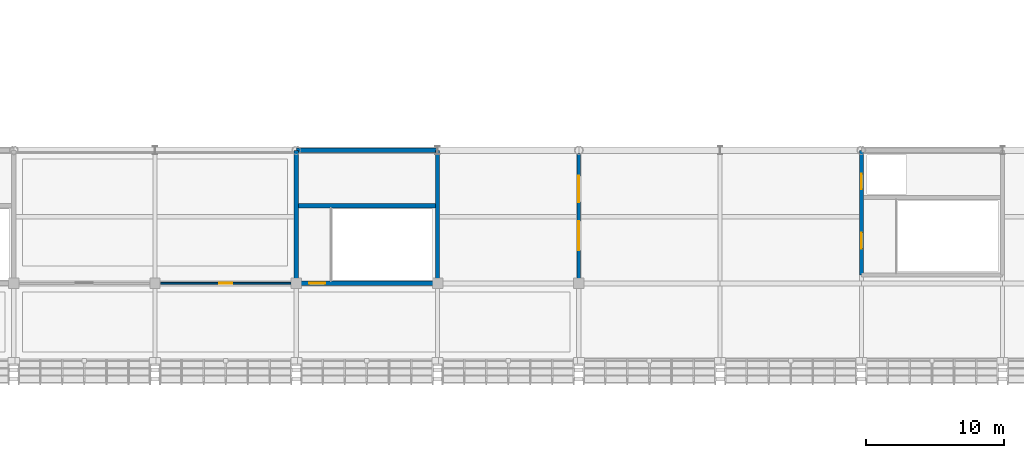
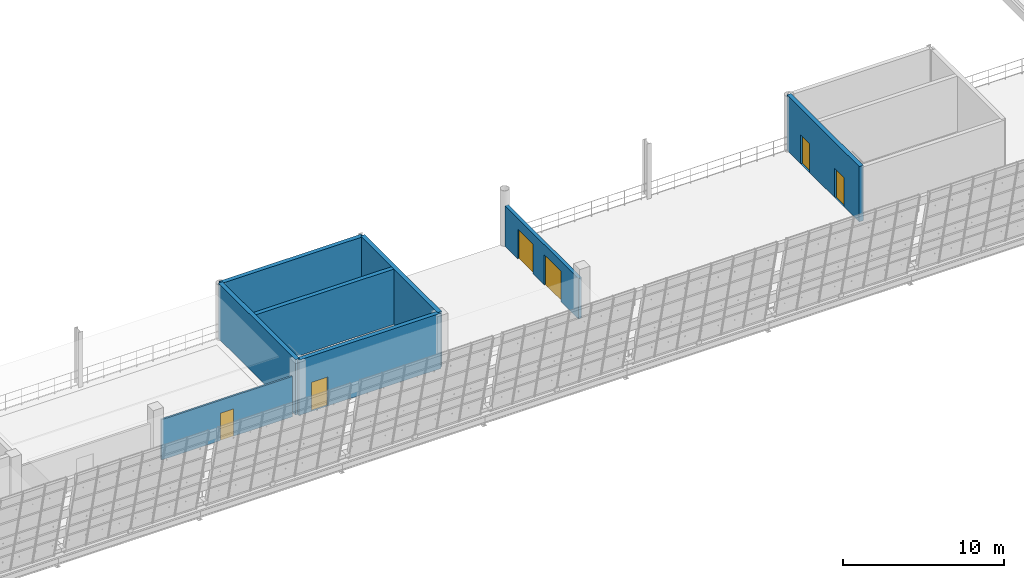
# One storey, part 125 of 157: 8 walls, 6 doors, 6 openings.
"""IFC4 building model written with IfcOpenShell, lengths in metres."""

from ifc_helpers import new_model, si_unit, direction, frame, frame_2d, origin, place, context, subcontext, project, spatial, rectangle, extrude, material, layer, layer_set, type_object, element, fill, save


model = new_model("IFC4")

# Units and contexts
model_context = context("Model", 3, precision=1e-05, world=origin(), true_north=direction((0.0, 1.0)))
body_context = subcontext(model_context, "Body", "Model", "MODEL_VIEW")
ifc_project = project(units=[si_unit("LENGTHUNIT", "METRE"), si_unit("AREAUNIT", "SQUARE_METRE"), si_unit("VOLUMEUNIT", "CUBIC_METRE"), si_unit("PLANEANGLEUNIT", "RADIAN"), si_unit("MASSUNIT", "GRAM", prefix="KILO")], contexts=[model_context])

# Site, building, storey
site_placement = place(None, origin())
site = spatial("IfcSite", under=ifc_project, at=site_placement, CompositionType="ELEMENT")
building_placement = place(site_placement, origin())
building = spatial("IfcBuilding", under=site, at=building_placement, Name="Brelvane Convention Centre", CompositionType="ELEMENT")
storey_placement = place(building_placement, frame((0.0, 0.0, 10.800048828125)))
storey = spatial("IfcBuildingStorey", under=building, at=storey_placement, Name="L02", CompositionType="ELEMENT", Elevation=10.800048828125)

# Wall, openings, doors
ifc_material_1 = material(Name="Insulated Autoclaved Aerated Concrete Block Grade 1", Category="concrete")
ifc_layer_1 = layer(ifc_material_1, 0.239990234375)
ifc_layer_set_1 = layer_set([ifc_layer_1], Name="Insulated Autoclaved Aerated Concrete Block Grade 1")
wall_type_1 = type_object("IfcWallType", Name="Exterior Wall EW-03", PredefinedType="STANDARD", material=ifc_layer_set_1)
wall_1_placement = place(storey_placement, frame((102.0, 19.43994140625, 0.0), z_axis=(0.0, 0.0, 1.0), x_axis=(0.0, 1.0, 0.0)))
wall_1 = element("IfcWall", 1, at=wall_1_placement, inside=storey, type_object=wall_type_1, Name="Exterior Wall L02 V1-TERR-L02", PredefinedType="STANDARD", context=body_context, shape_type="SweptSolid", body=[
    extrude(rectangle(XDim=9.1201171875, YDim=0.239990234375, at=frame_2d((4.56005859375, 0.0))), origin(), (0.0, 0.0, 1.0), 3.06005859375),
])
opening_1_placement = place(wall_1_placement, frame((2.14208984375, 0.0, 0.0)))
opening_1 = element("IfcOpeningElement", 2, at=opening_1_placement, cuts=wall_1, Name="Opening DR-TR-01", PredefinedType="OPENING", context=body_context, shape_type="SweptSolid", body=[
    extrude(rectangle(XDim=2.10009765625, YDim=2.300048828125, at=frame_2d((1.050048828125, 1.14990234375))), frame((0.0, 0.1298828125, 0.0), z_axis=(0.0, -1.0, 0.0), x_axis=(1.0, 0.0, 0.0)), (0.0, 0.0, 1.0), 0.260009765625),
])
opening_2_placement = place(wall_1_placement, frame((5.615966796875, 0.0, 0.0)))
opening_2 = element("IfcOpeningElement", 3, at=opening_2_placement, cuts=wall_1, Name="Opening DR-TR-02", PredefinedType="OPENING", context=body_context, shape_type="SweptSolid", body=[
    extrude(rectangle(XDim=1.89990234375, YDim=2.25, at=frame_2d((0.949951171875, 1.125))), frame((0.0, 0.1298828125, 0.0), z_axis=(0.0, -1.0, 0.0), x_axis=(1.0, 0.0, 0.0)), (0.0, 0.0, 1.0), 0.260009765625),
])
ifc_material_2 = material(Name="Anodised Aluminium Alloy 6063-T6", Category="aluminium")
door_type_1 = type_object("IfcDoorType", Name="Exterior Door DR-TR-01", OperationType="NOTDEFINED", PredefinedType="DOOR", material=ifc_material_2)
door_1_placement = place(opening_1_placement, frame((2.10009765625, 0.0, 0.0), z_axis=(0.0, 0.0, 1.0), x_axis=(-1.0, 0.0, 0.0)))
door_1 = element("IfcDoor", 4, at=door_1_placement, inside=storey, type_object=door_type_1, Name="Terrace Exit Door RG-CONC-1 (DR-TR-01)", OperationType="DOUBLE_DOOR_SINGLE_SWING", OverallHeight=2.300048828125, OverallWidth=2.10009765625, PredefinedType="DOOR", context=body_context, shape_type="SweptSolid", body=[
    extrude(rectangle(XDim=2.10009765625, YDim=2.300048828125, at=frame_2d((1.050048828125, 1.14990234375))), frame((0.0, 0.02490234375, 0.0), z_axis=(0.0, -1.0, 0.0), x_axis=(1.0, 0.0, 0.0)), (0.0, 0.0, 1.0), 0.050048828125),
])
fill(opening_1, door_1)
ifc_material_3 = material(Name="Anodised Aluminium Alloy 6063-T6", Category="aluminium")
door_type_2 = type_object("IfcDoorType", Name="Exterior Door DR-TR-02", OperationType="NOTDEFINED", PredefinedType="DOOR", material=ifc_material_3)
door_2_placement = place(opening_2_placement, frame((1.89990234375, 0.0, 0.0), z_axis=(0.0, 0.0, 1.0), x_axis=(-1.0, 0.0, 0.0)))
door_2 = element("IfcDoor", 5, at=door_2_placement, inside=storey, type_object=door_type_2, Name="Terrace Exit Door RG-CONC-2 (DR-TR-02)", OperationType="DOUBLE_DOOR_SINGLE_SWING", OverallHeight=2.25, OverallWidth=1.89990234375, PredefinedType="DOOR", context=body_context, shape_type="SweptSolid", body=[
    extrude(rectangle(XDim=1.89990234375, YDim=2.25, at=frame_2d((0.949951171875, 1.125))), frame((0.0, 0.02490234375, 0.0), z_axis=(0.0, -1.0, 0.0), x_axis=(1.0, 0.0, 0.0)), (0.0, 0.0, 1.0), 0.050048828125),
])
fill(opening_2, door_2)

# Wall, opening, door
ifc_material_4 = material(Name="Fire-Rated Acoustic Gypsum Partition Board Grade A")
ifc_layer_2 = layer(ifc_material_4, 0.125)
ifc_layer_set_2 = layer_set([ifc_layer_2], Name="Fire-Rated Acoustic Gypsum Partition Board Grade A")
wall_type_2 = type_object("IfcWallType", Name="Interior Wall IW-PT-125", PredefinedType="PARTITIONING", material=ifc_layer_set_2)
wall_2_placement = place(storey_placement, frame((71.800048828125, 19.199951171875, 0.0), z_axis=(0.0, 0.0, 1.0), x_axis=(1.0, 0.0, 0.0)))
wall_2 = element("IfcWall", 6, at=wall_2_placement, inside=storey, type_object=wall_type_2, Name="Interior Partition L02-TVST2", PredefinedType="PARTITIONING", context=body_context, shape_type="SweptSolid", body=[
    extrude(rectangle(XDim=9.39990234375, YDim=0.125, at=frame_2d((4.699951171875, 0.0))), origin(), (0.0, 0.0, 1.0), 3.06005859375),
])
opening_3_placement = place(wall_2_placement, frame((4.22998046875, 0.0, 0.0)))
opening_3 = element("IfcOpeningElement", 7, at=opening_3_placement, cuts=wall_2, Name="Opening DR-IN-11R", PredefinedType="OPENING", context=body_context, shape_type="SweptSolid", body=[
    extrude(rectangle(XDim=0.93994140625, YDim=2.080078125, at=frame_2d((0.469970703125, 1.0400390625))), frame((0.0, 0.072509765625, 0.0), z_axis=(0.0, -1.0, 0.0), x_axis=(1.0, 0.0, 0.0)), (0.0, 0.0, 1.0), 0.14501953125),
])
ifc_material_5 = material(Name="Solid-Core Fire-Rated Hardwood Leaf Grade 1", Category="wood")
door_type_3 = type_object("IfcDoorType", Name="Interior Door DR-IN-11R", OperationType="NOTDEFINED", PredefinedType="DOOR", material=ifc_material_5)
door_3_placement = place(opening_3_placement, origin())
door_3 = element("IfcDoor", 8, at=door_3_placement, inside=storey, type_object=door_type_3, Name="Interior Door L02-TVST2 (DR-IN-11R)", OperationType="SINGLE_SWING_RIGHT", OverallHeight=2.080078125, OverallWidth=0.93994140625, PredefinedType="DOOR", context=body_context, shape_type="SweptSolid", body=[
    extrude(rectangle(XDim=0.93994140625, YDim=2.080078125, at=frame_2d((0.469970703125, 1.0400390625))), frame((0.0, 0.02490234375, 0.0), z_axis=(0.0, -1.0, 0.0), x_axis=(1.0, 0.0, 0.0)), (0.0, 0.0, 1.0), 0.050048828125),
])
fill(opening_3, door_3)

# Wall, openings, doors
ifc_material_6 = material(Name="Concrete M50", Category="concrete")
ifc_layer_3 = layer(ifc_material_6, 0.300048828125)
ifc_layer_set_3 = layer_set([ifc_layer_3], Name="Concrete M50")
wall_type_3 = type_object("IfcWallType", Name="Structural Wall WL-CORE-300", PredefinedType="SHEAR", material=ifc_layer_set_3)
wall_3_placement = place(storey_placement, frame((122.39990234375, 19.800048828125, 0.0), z_axis=(0.0, 0.0, 1.0), x_axis=(0.0, 1.0, 0.0)))
wall_3 = element("IfcWall", 9, at=wall_3_placement, inside=storey, type_object=wall_type_3, Name="Core C2 Shear Wall W (L02)", PredefinedType="SHEAR", context=body_context, shape_type="SweptSolid", body=[
    extrude(rectangle(XDim=9.0, YDim=0.300048828125, at=frame_2d((4.5, 0.0))), origin(), (0.0, 0.0, 1.0), 4.199951171875),
])
opening_4_placement = place(wall_3_placement, frame((1.89990234375, 0.0, 0.0)))
opening_4 = element("IfcOpeningElement", 10, at=opening_4_placement, cuts=wall_3, Name="Opening DR-IN-04L", PredefinedType="OPENING", context=body_context, shape_type="SweptSolid", body=[
    extrude(rectangle(XDim=1.159912109375, YDim=2.199951171875, at=frame_2d((0.580078125, 1.10009765625))), frame((0.0, 0.159912109375, 0.0), z_axis=(0.0, -1.0, 0.0), x_axis=(1.0, 0.0, 0.0)), (0.0, 0.0, 1.0), 0.320068359375),
])
opening_5_placement = place(wall_3_placement, frame((6.199951171875, 0.0, 0.0)))
opening_5 = element("IfcOpeningElement", 11, at=opening_5_placement, cuts=wall_3, Name="Opening LD-02", PredefinedType="OPENING", context=body_context, shape_type="SweptSolid", body=[
    extrude(rectangle(XDim=1.10009765625, YDim=2.199951171875, at=frame_2d((0.550048828125, 1.10009765625))), frame((0.0, 0.159912109375, 0.0), z_axis=(0.0, -1.0, 0.0), x_axis=(1.0, 0.0, 0.0)), (0.0, 0.0, 1.0), 0.320068359375),
])
ifc_material_7 = material(Name="Galvanised Hollow-Metal Fire Door Steel E250", Category="steel")
door_type_4 = type_object("IfcDoorType", Name="Interior Door DR-IN-04L", OperationType="NOTDEFINED", PredefinedType="DOOR", material=ifc_material_7)
door_4_placement = place(opening_4_placement, origin())
door_4 = element("IfcDoor", 12, at=door_4_placement, inside=storey, type_object=door_type_4, Name="Stair ST-02 Door (L02)", OperationType="SINGLE_SWING_LEFT", OverallHeight=2.199951171875, OverallWidth=1.159912109375, PredefinedType="DOOR", context=body_context, shape_type="SweptSolid", body=[
    extrude(rectangle(XDim=1.159912109375, YDim=2.199951171875, at=frame_2d((0.580078125, 1.10009765625))), frame((0.0, 0.02490234375, 0.0), z_axis=(0.0, -1.0, 0.0), x_axis=(1.0, 0.0, 0.0)), (0.0, 0.0, 1.0), 0.050048828125),
])
fill(opening_4, door_4)
ifc_material_8 = material(Name="Galvanised Hollow-Metal Fire Door Steel E250", Category="steel")
door_type_5 = type_object("IfcDoorType", Name="Interior Door LD-02", OperationType="NOTDEFINED", PredefinedType="DOOR", material=ifc_material_8)
door_5_placement = place(opening_5_placement, origin())
door_5 = element("IfcDoor", 13, at=door_5_placement, inside=storey, type_object=door_type_5, Name="Lift LP-01 Landing Door (L02)", OperationType="SLIDING_TO_RIGHT", OverallHeight=2.199951171875, OverallWidth=1.10009765625, PredefinedType="DOOR", context=body_context, shape_type="SweptSolid", body=[
    extrude(rectangle(XDim=1.10009765625, YDim=2.199951171875, at=frame_2d((0.550048828125, 1.10009765625))), frame((0.0, 0.02490234375, 0.0), z_axis=(0.0, -1.0, 0.0), x_axis=(1.0, 0.0, 0.0)), (0.0, 0.0, 1.0), 0.050048828125),
])
fill(opening_5, door_5)

# Wall, opening, door
wall_4_placement = place(storey_placement, frame((81.60009765625, 19.199951171875, 0.0), z_axis=(0.0, 0.0, 1.0), x_axis=(1.0, 0.0, 0.0)))
wall_4 = element("IfcWall", 14, at=wall_4_placement, inside=storey, type_object=wall_type_3, Name="Stair Core ST-10 Wall S (L02)", PredefinedType="SHEAR", context=body_context, shape_type="SweptSolid", body=[
    extrude(rectangle(XDim=10.199951171875, YDim=0.300048828125, at=frame_2d((5.10009765625, 0.0))), origin(), (0.0, 0.0, 1.0), 4.199951171875),
])
opening_6_placement = place(wall_4_placement, frame((0.919921875, 0.0, 0.0)))
opening_6 = element("IfcOpeningElement", 15, at=opening_6_placement, cuts=wall_4, Name="Opening DR-IN-04L", PredefinedType="OPENING", context=body_context, shape_type="SweptSolid", body=[
    extrude(rectangle(XDim=1.159912109375, YDim=2.199951171875, at=frame_2d((0.580078125, 1.10009765625))), frame((0.0, 0.159912109375, 0.0), z_axis=(0.0, -1.0, 0.0), x_axis=(1.0, 0.0, 0.0)), (0.0, 0.0, 1.0), 0.320068359375),
])
door_6_placement = place(opening_6_placement, origin())
door_6 = element("IfcDoor", 16, at=door_6_placement, inside=storey, type_object=door_type_4, Name="Stair ST-10 Entry Door (L02)", OperationType="SINGLE_SWING_LEFT", OverallHeight=2.199951171875, OverallWidth=1.159912109375, PredefinedType="DOOR", context=body_context, shape_type="SweptSolid", body=[
    extrude(rectangle(XDim=1.159912109375, YDim=2.199951171875, at=frame_2d((0.580078125, 1.10009765625))), frame((0.0, 0.02490234375, 0.0), z_axis=(0.0, -1.0, 0.0), x_axis=(1.0, 0.0, 0.0)), (0.0, 0.0, 1.0), 0.050048828125),
])
fill(opening_6, door_6)

# Walls
wall_5_placement = place(storey_placement, frame((81.60009765625, 28.800048828125, 0.0), z_axis=(0.0, 0.0, 1.0), x_axis=(1.0, 0.0, 0.0)))
element("IfcWall", 17, at=wall_5_placement, inside=storey, type_object=wall_type_3, Name="Stair Core ST-10 Wall N (L02)", PredefinedType="SHEAR", context=body_context, shape_type="SweptSolid", body=[
    extrude(rectangle(XDim=10.199951171875, YDim=0.300048828125, at=frame_2d((5.10009765625, 0.0))), origin(), (0.0, 0.0, 1.0), 4.199951171875),
])
for number, where, z_axis, x_axis, name in (
    (18, (81.60009765625, 19.199951171875, 0.0), (0.0, 0.0, 1.0), (0.0, 1.0, 0.0), "Stair Core ST-10 Wall W (L02)"),
    (19, (91.800048828125, 19.199951171875, 0.0), (0.0, 0.0, 1.0), (0.0, 1.0, 0.0), "Stair Core ST-10 Wall E (L02)"),
):
    element("IfcWall", number, at=place(storey_placement, frame(where, z_axis=z_axis, x_axis=x_axis)), inside=storey, type_object=wall_type_3, Name=name, PredefinedType="SHEAR", context=body_context, shape_type="SweptSolid", body=[
        extrude(rectangle(XDim=9.60009765625, YDim=0.300048828125, at=frame_2d((4.800048828125, 0.0))), origin(), (0.0, 0.0, 1.0), 4.199951171875),
    ])
wall_6_placement = place(storey_placement, frame((81.75, 24.800048828125, 0.0), z_axis=(0.0, 0.0, 1.0), x_axis=(1.0, 0.0, 0.0)))
element("IfcWall", 20, at=wall_6_placement, inside=storey, type_object=wall_type_3, Name="Stair Core ST-10 Well Wall (L02)", PredefinedType="SHEAR", context=body_context, shape_type="SweptSolid", body=[
    extrude(rectangle(XDim=9.89990234375, YDim=0.300048828125, at=frame_2d((4.949951171875, 0.0))), origin(), (0.0, 0.0, 1.0), 4.199951171875),
])

save(model, "model.ifc")
